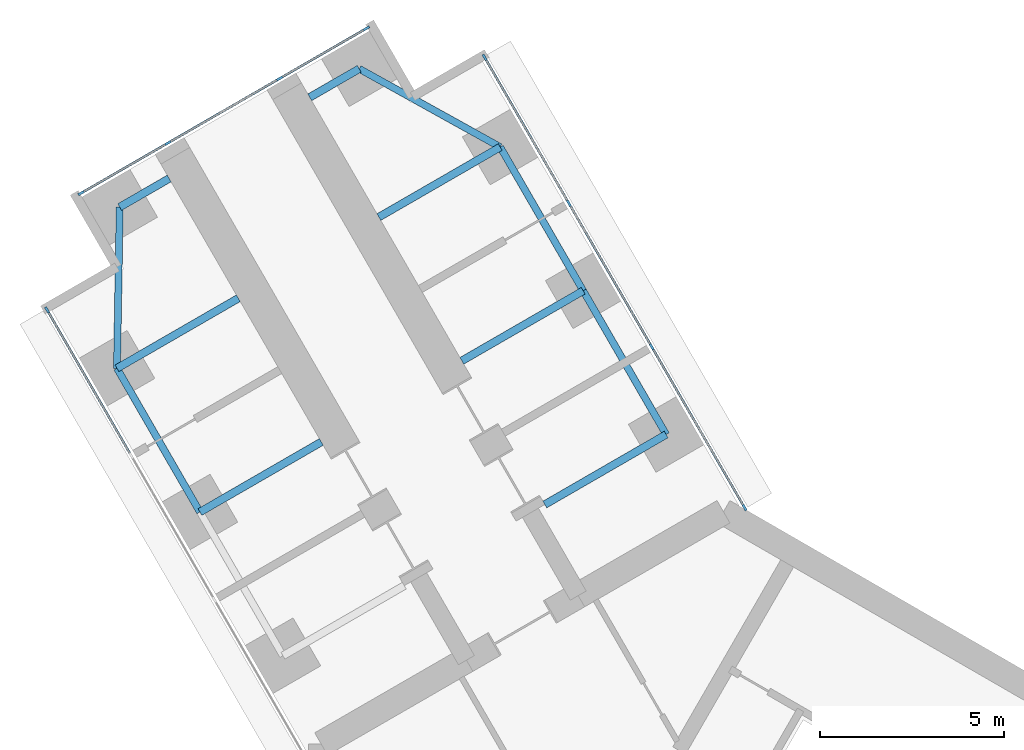
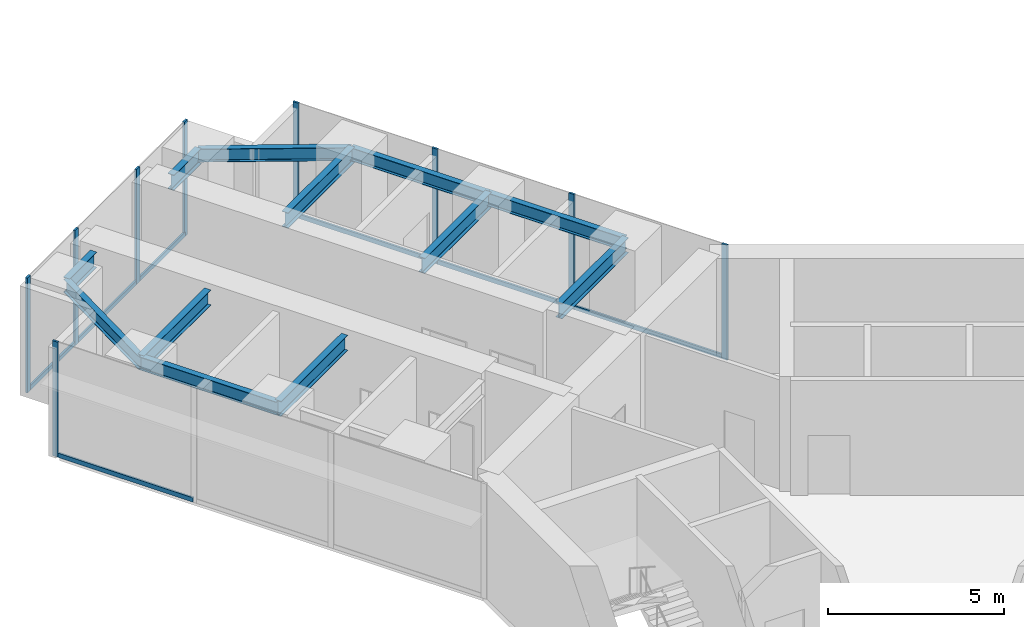
# One storey, part 7 of 22: 16 members, 12 beams, 3 elements without a shape of their own.
"""IFC4 building model written with IfcOpenShell, lengths in metres."""

from ifc_helpers import new_model, si_unit, direction, frame, origin, origin_2d, place, context, subcontext, project, spatial, rectangle, i_section, extrude, material, material_profile, profile_set, type_object, element, aggregate, save


model = new_model("IFC4")

# Units and contexts
model_context = context("Model", 3, precision=1e-05, world=origin(), true_north=direction((0.0, 1.0)))
body_context = subcontext(model_context, "Body", "Model", "MODEL_VIEW")
ifc_project = project(units=[si_unit("LENGTHUNIT", "METRE"), si_unit("AREAUNIT", "SQUARE_METRE"), si_unit("VOLUMEUNIT", "CUBIC_METRE"), si_unit("PLANEANGLEUNIT", "RADIAN"), si_unit("MASSUNIT", "GRAM", prefix="KILO")], contexts=[model_context])

# Site, building, storey
site_placement = place(None, origin())
site = spatial("IfcSite", under=ifc_project, at=site_placement, CompositionType="ELEMENT")
building_placement = place(site_placement, origin())
building = spatial("IfcBuilding", under=site, at=building_placement, Name="Upepo Twin Towers", CompositionType="ELEMENT")
storey_placement = place(building_placement, frame((0.0, 0.0, 36.5)))
storey = spatial("IfcBuildingStorey", under=building, at=storey_placement, Name="L08", CompositionType="ELEMENT", Elevation=36.5)

# Beams
ifc_material_1 = material(Name="Steel S355", Category="steel")
ifc_material_profile_1 = material_profile(ifc_material_1, i_section(OverallWidth=0.1904296875, OverallDepth=0.45703125, WebThickness=0.009033203125, FlangeThickness=0.014404296875, FilletRadius=0.01025390625, at=origin_2d()), Name="UB 457x191x74")
ifc_profile_set_1 = profile_set([ifc_material_profile_1], Name="Steel S355")
beam_type_1 = type_object("IfcBeamType", Name="Beam UB 457x191x74", PredefinedType="BEAM", material=ifc_profile_set_1)
beam_1_placement = place(storey_placement, frame((-14.196044921875, 12.58837890625, 3.571533203125), z_axis=(-0.499990139034, 0.866031096941, 0.0), x_axis=(-0.866031096941, -0.499990139034, 0.0)))
element("IfcBeam", 1, at=beam_1_placement, inside=storey, type_object=beam_type_1, Name="T1 edge beam BL 18.0-22.5", PredefinedType="BEAM", context=body_context, shape_type="SweptSolid", body=[
    extrude(i_section(OverallWidth=0.1904296875, OverallDepth=0.45703125, WebThickness=0.009033203125, FlangeThickness=0.014404296875, FilletRadius=0.01025390625, at=origin_2d()), origin(), (0.0, 0.0, 1.0), 4.5),
])
beam_2_placement = place(storey_placement, frame((-16.446044921875, 16.485595703125, 3.571533203125), z_axis=(0.016803880528, 0.999858804832, 0.0), x_axis=(-0.999858804832, 0.016803880528, 0.0)))
element("IfcBeam", 2, at=beam_2_placement, inside=storey, type_object=beam_type_1, Name="T1 nose edge beam BL", PredefinedType="BEAM", context=body_context, shape_type="SweptSolid", body=[
    extrude(i_section(OverallWidth=0.1904296875, OverallDepth=0.45703125, WebThickness=0.009033203125, FlangeThickness=0.014404296875, FilletRadius=0.01025390625, at=origin_2d()), origin(), (0.0, 0.0, 1.0), 4.373291015625),
])
beam_3_placement = place(storey_placement, frame((-1.553955078125, 14.69140625, 3.571533203125), z_axis=(-0.500013631625, 0.866017533419, 0.0), x_axis=(-0.866017533419, -0.500013631625, 0.0)))
element("IfcBeam", 3, at=beam_3_placement, inside=storey, type_object=beam_type_1, Name="T1 edge beam BR 13.5-18.0", PredefinedType="BEAM", context=body_context, shape_type="SweptSolid", body=[
    extrude(i_section(OverallWidth=0.1904296875, OverallDepth=0.45703125, WebThickness=0.009033203125, FlangeThickness=0.014404296875, FilletRadius=0.01025390625, at=origin_2d()), origin(), (0.0, 0.0, 1.0), 4.499755859375),
])
beam_4_placement = place(storey_placement, frame((-3.803955078125, 18.58837890625, 3.571533203125), z_axis=(-0.499990139034, 0.866031096941, 0.0), x_axis=(-0.866031096941, -0.499990139034, 0.0)))
element("IfcBeam", 4, at=beam_4_placement, inside=storey, type_object=beam_type_1, Name="T1 edge beam BR 18.0-22.5", PredefinedType="BEAM", context=body_context, shape_type="SweptSolid", body=[
    extrude(i_section(OverallWidth=0.1904296875, OverallDepth=0.45703125, WebThickness=0.009033203125, FlangeThickness=0.014404296875, FilletRadius=0.01025390625, at=origin_2d()), origin(), (0.0, 0.0, 1.0), 4.5),
])
beam_5_placement = place(storey_placement, frame((-6.053955078125, 22.485595703125, 3.571533203125), z_axis=(-0.874312600038, 0.485363242752, 0.0), x_axis=(-0.485363242752, -0.874312600038, 0.0)))
element("IfcBeam", 5, at=beam_5_placement, inside=storey, type_object=beam_type_1, Name="T1 nose edge beam BR", PredefinedType="BEAM", context=body_context, shape_type="SweptSolid", body=[
    extrude(i_section(OverallWidth=0.1904296875, OverallDepth=0.45703125, WebThickness=0.009033203125, FlangeThickness=0.014404296875, FilletRadius=0.01025390625, at=origin_2d()), origin(), (0.0, 0.0, 1.0), 4.373046875),
])
ifc_material_2 = material(Name="Steel S355", Category="steel")
ifc_material_profile_2 = material_profile(ifc_material_2, i_section(OverallWidth=0.2099609375, OverallDepth=0.53662109375, WebThickness=0.0107421875, FlangeThickness=0.017333984375, FilletRadius=0.0126953125, at=origin_2d()), Name="UB 533x210x101")
ifc_profile_set_2 = profile_set([ifc_material_profile_2], Name="Steel S355")
beam_type_2 = type_object("IfcBeamType", Name="Beam UB 533x210x101", PredefinedType="BEAM", material=ifc_profile_set_2)
for number, where, z_axis, x_axis, name in (
    (6, (-16.37255859375, 20.858154296875, 3.53173828125), (0.866043940782, 0.499967891604, 0.0), (-0.499967891604, 0.866043940782, 0.0), "T1 nose beam BL"),
    (7, (-9.87744140625, 24.608154296875, 3.53173828125), (-0.866043940782, -0.499967891604, 0.0), (0.499967891604, -0.866043940782, 0.0), "T1 nose beam BR"),
):
    element("IfcBeam", number, at=place(storey_placement, frame(where, z_axis=z_axis, x_axis=x_axis)), inside=storey, type_object=beam_type_2, Name=name, PredefinedType="BEAM", context=body_context, shape_type="SweptSolid", body=[
        extrude(i_section(OverallWidth=0.2099609375, OverallDepth=0.53662109375, WebThickness=0.0107421875, FlangeThickness=0.017333984375, FilletRadius=0.0126953125, at=origin_2d()), origin(), (0.0, 0.0, 1.0), 1.5498046875),
    ])
ifc_material_3 = material(Name="Steel S355", Category="steel")
ifc_material_profile_3 = material_profile(ifc_material_3, i_section(OverallWidth=0.209228515625, OverallDepth=0.533203125, WebThickness=0.010009765625, FlangeThickness=0.015625, FilletRadius=0.0126953125, at=origin_2d()), Name="UB 533x210x92")
ifc_profile_set_3 = profile_set([ifc_material_profile_3], Name="Steel S355")
beam_type_3 = type_object("IfcBeamType", Name="Beam UB 533x210x92", PredefinedType="BEAM", material=ifc_profile_set_3)
beam_6_placement = place(storey_placement, frame((-14.196044921875, 12.58837890625, 3.533447265625), z_axis=(0.866000483506, 0.500043160704, 0.0), x_axis=(-0.500043160704, 0.866000483506, 0.0)))
element("IfcBeam", 8, at=beam_6_placement, inside=storey, type_object=beam_type_3, Name="T1 girder BL at 18.0", PredefinedType="BEAM", context=body_context, shape_type="SweptSolid", body=[
    extrude(i_section(OverallWidth=0.209228515625, OverallDepth=0.533203125, WebThickness=0.010009765625, FlangeThickness=0.015625, FilletRadius=0.0126953125, at=origin_2d()), origin(), (0.0, 0.0, 1.0), 3.800048828125),
])
beam_7_placement = place(storey_placement, frame((-16.446044921875, 16.485595703125, 3.533447265625), z_axis=(0.866028304915, 0.499994975061, 0.0), x_axis=(-0.499994975061, 0.866028304915, 0.0)))
element("IfcBeam", 9, at=beam_7_placement, inside=storey, type_object=beam_type_3, Name="T1 girder BL at 22.5", PredefinedType="BEAM", context=body_context, shape_type="SweptSolid", body=[
    extrude(i_section(OverallWidth=0.209228515625, OverallDepth=0.533203125, WebThickness=0.010009765625, FlangeThickness=0.015625, FilletRadius=0.0126953125, at=origin_2d()), origin(), (0.0, 0.0, 1.0), 3.7998046875),
])
beam_8_placement = place(storey_placement, frame((-1.553955078125, 14.69140625, 3.533447265625), z_axis=(-0.866000483506, -0.500043160704, 0.0), x_axis=(0.500043160704, -0.866000483506, 0.0)))
element("IfcBeam", 10, at=beam_8_placement, inside=storey, type_object=beam_type_3, Name="T1 girder BR at 13.5", PredefinedType="BEAM", context=body_context, shape_type="SweptSolid", body=[
    extrude(i_section(OverallWidth=0.209228515625, OverallDepth=0.533203125, WebThickness=0.010009765625, FlangeThickness=0.015625, FilletRadius=0.0126953125, at=origin_2d()), origin(), (0.0, 0.0, 1.0), 3.800048828125),
])
for number, where, z_axis, x_axis, name in (
    (11, (-3.803955078125, 18.58837890625, 3.533447265625), (-0.866028304915, -0.499994975061, 0.0), (0.499994975061, -0.866028304915, 0.0), "T1 girder BR at 18.0"),
    (12, (-6.053955078125, 22.485595703125, 3.533447265625), (-0.866028304915, -0.499994975061, 0.0), (0.499994975061, -0.866028304915, 0.0), "T1 girder BR at 22.5"),
):
    element("IfcBeam", number, at=place(storey_placement, frame(where, z_axis=z_axis, x_axis=x_axis)), inside=storey, type_object=beam_type_3, Name=name, PredefinedType="BEAM", context=body_context, shape_type="SweptSolid", body=[
        extrude(i_section(OverallWidth=0.209228515625, OverallDepth=0.533203125, WebThickness=0.010009765625, FlangeThickness=0.015625, FilletRadius=0.0126953125, at=origin_2d()), origin(), (0.0, 0.0, 1.0), 3.7998046875),
    ])

# Curtain wall, member
ifc_material_4 = material(Name="Aluminium and fritted glass", Category="aluminium")
curtain_wall_type = type_object("IfcCurtainWallType", Name="Tower curtain wall TW1, fritted glass", PredefinedType="NOTDEFINED", material=ifc_material_4)
curtain_wall_1_placement = place(storey_placement, origin())
curtain_wall_1 = element("IfcCurtainWall", 13, at=curtain_wall_1_placement, inside=storey, type_object=curtain_wall_type, Name="T1 L08 wing B flank L curtain wall", PredefinedType="NOTDEFINED")
ifc_material_5 = material(Name="Aluminium mullion", Category="aluminium")
ifc_material_profile_4 = material_profile(ifc_material_5, rectangle(XDim=0.06494140625, YDim=0.179931640625, at=origin_2d()), Name="MULLION 65x180")
ifc_profile_set_4 = profile_set([ifc_material_profile_4], Name="Aluminium mullion")
member_type_1 = type_object("IfcMemberType", Name="Mullion 65x180 TW1", PredefinedType="MULLION", material=ifc_profile_set_4)
member_1_placement = place(storey_placement, frame((-18.341064453125, 18.067626953125, 0.0), z_axis=(0.0, 0.0, 1.0), x_axis=(-0.866025389682, -0.500000024426, 0.0)))
member_1 = element("IfcMember", 14, at=member_1_placement, type_object=member_type_1, Name="T1 L08 wing B flank L curtain wall mullion 4", PredefinedType="MULLION", context=body_context, shape_type="SweptSolid", body=[
    extrude(rectangle(XDim=0.06494140625, YDim=0.179931640625, at=origin_2d()), origin(), (0.0, 0.0, 1.0), 4.0),
])

# Curtain wall, members
curtain_wall_2_placement = place(storey_placement, origin())
curtain_wall_2 = element("IfcCurtainWall", 15, at=curtain_wall_2_placement, inside=storey, type_object=curtain_wall_type, Name="T1 L08 wing B flank R curtain wall", PredefinedType="NOTDEFINED")
member_2_placement = place(storey_placement, frame((-6.4765625, 24.91748046875, 0.0), z_axis=(0.0, 0.0, 1.0), x_axis=(0.866025389682, 0.500000024426, 0.0)))
member_2 = element("IfcMember", 16, at=member_2_placement, type_object=member_type_1, Name="T1 L08 wing B flank R curtain wall mullion 1", PredefinedType="MULLION", context=body_context, shape_type="SweptSolid", body=[
    extrude(rectangle(XDim=0.06494140625, YDim=0.179931640625, at=origin_2d()), origin(), (0.0, 0.0, 1.0), 4.0),
])
member_3_placement = place(storey_placement, frame((-4.192626953125, 20.9619140625, 0.0), z_axis=(0.0, 0.0, 1.0), x_axis=(0.866025389682, 0.500000024426, 0.0)))
member_3 = element("IfcMember", 17, at=member_3_placement, type_object=member_type_1, Name="T1 L08 wing B flank R curtain wall mullion 2", PredefinedType="MULLION", context=body_context, shape_type="SweptSolid", body=[
    extrude(rectangle(XDim=0.06494140625, YDim=0.179931640625, at=origin_2d()), origin(), (0.0, 0.0, 1.0), 4.0),
])
member_4_placement = place(storey_placement, frame((-1.942626953125, 17.06494140625, 0.0), z_axis=(0.0, 0.0, 1.0), x_axis=(0.866025389682, 0.500000024426, 0.0)))
member_4 = element("IfcMember", 18, at=member_4_placement, type_object=member_type_1, Name="T1 L08 wing B flank R curtain wall mullion 3", PredefinedType="MULLION", context=body_context, shape_type="SweptSolid", body=[
    extrude(rectangle(XDim=0.06494140625, YDim=0.179931640625, at=origin_2d()), origin(), (0.0, 0.0, 1.0), 4.0),
])
member_5_placement = place(storey_placement, frame((0.572509765625, 12.70849609375, 0.0), z_axis=(0.0, 0.0, 1.0), x_axis=(0.866025389682, 0.500000024426, 0.0)))
member_5 = element("IfcMember", 19, at=member_5_placement, type_object=member_type_1, Name="T1 L08 wing B flank R curtain wall mullion 4", PredefinedType="MULLION", context=body_context, shape_type="SweptSolid", body=[
    extrude(rectangle(XDim=0.06494140625, YDim=0.179931640625, at=origin_2d()), origin(), (0.0, 0.0, 1.0), 4.0),
])

curtain_wall_3_placement = place(storey_placement, origin())
curtain_wall_3 = element("IfcCurtainWall", 20, at=curtain_wall_3_placement, inside=storey, type_object=curtain_wall_type, Name="T1 L08 wing B nose curtain wall", PredefinedType="NOTDEFINED")
member_6_placement = place(storey_placement, frame((-9.68115234375, 25.703125, 0.0), z_axis=(0.0, 0.0, 1.0), x_axis=(0.500000030502, -0.866025386174, 0.0)))
member_6 = element("IfcMember", 21, at=member_6_placement, type_object=member_type_1, Name="T1 L08 wing B nose curtain wall mullion 1", PredefinedType="MULLION", context=body_context, shape_type="SweptSolid", body=[
    extrude(rectangle(XDim=0.06494140625, YDim=0.179931640625, at=origin_2d()), origin(), (0.0, 0.0, 1.0), 4.0),
])
member_7_placement = place(storey_placement, frame((-12.034423828125, 24.34423828125, 0.0), z_axis=(0.0, 0.0, 1.0), x_axis=(0.500000030502, -0.866025386174, 0.0)))
member_7 = element("IfcMember", 22, at=member_7_placement, type_object=member_type_1, Name="T1 L08 wing B nose curtain wall mullion 2", PredefinedType="MULLION", context=body_context, shape_type="SweptSolid", body=[
    extrude(rectangle(XDim=0.06494140625, YDim=0.179931640625, at=origin_2d()), origin(), (0.0, 0.0, 1.0), 4.0),
])
member_8_placement = place(storey_placement, frame((-15.0654296875, 22.59423828125, 0.0), z_axis=(0.0, 0.0, 1.0), x_axis=(0.500000030502, -0.866025386174, 0.0)))
member_8 = element("IfcMember", 23, at=member_8_placement, type_object=member_type_1, Name="T1 L08 wing B nose curtain wall mullion 3", PredefinedType="MULLION", context=body_context, shape_type="SweptSolid", body=[
    extrude(rectangle(XDim=0.06494140625, YDim=0.179931640625, at=origin_2d()), origin(), (0.0, 0.0, 1.0), 4.0),
])
member_9_placement = place(storey_placement, frame((-17.4189453125, 21.235595703125, 0.0), z_axis=(0.0, 0.0, 1.0), x_axis=(0.500000030502, -0.866025386174, 0.0)))
member_9 = element("IfcMember", 24, at=member_9_placement, type_object=member_type_1, Name="T1 L08 wing B nose curtain wall mullion 4", PredefinedType="MULLION", context=body_context, shape_type="SweptSolid", body=[
    extrude(rectangle(XDim=0.06494140625, YDim=0.179931640625, at=origin_2d()), origin(), (0.0, 0.0, 1.0), 4.0),
])

# Member
ifc_material_6 = material(Name="Aluminium transom", Category="aluminium")
ifc_material_profile_5 = material_profile(ifc_material_6, rectangle(XDim=0.06494140625, YDim=0.14990234375, at=origin_2d()), Name="TRANSOM 65x150")
ifc_profile_set_5 = profile_set([ifc_material_profile_5], Name="Aluminium transom")
member_type_2 = type_object("IfcMemberType", Name="Transom 65x150 TW1", PredefinedType="USERDEFINED", material=ifc_profile_set_5)
member_10_placement = place(storey_placement, frame((-16.073486328125, 14.14013671875, 0.074951171875), z_axis=(-0.499982167615, 0.866035699072, 0.0), x_axis=(-0.866035699072, -0.499982167615, 0.0)))
member_10 = element("IfcMember", 25, at=member_10_placement, type_object=member_type_2, Name="T1 L08 wing B flank L curtain wall transom 3", ObjectType="TRANSOM", PredefinedType="USERDEFINED", context=body_context, shape_type="SweptSolid", body=[
    extrude(rectangle(XDim=0.06494140625, YDim=0.14990234375, at=origin_2d()), origin(), (0.0, 0.0, 1.0), 4.502685546875),
])

aggregate(curtain_wall_1, [member_1, member_10])

member_11_placement = place(storey_placement, frame((-6.460205078125, 24.889404296875, 0.074951171875), z_axis=(0.500005646842, -0.866022143554, 0.0), x_axis=(0.866022143554, 0.500005646842, 0.0)))
member_11 = element("IfcMember", 26, at=member_11_placement, type_object=member_type_2, Name="T1 L08 wing B flank R curtain wall transom 1", ObjectType="TRANSOM", PredefinedType="USERDEFINED", context=body_context, shape_type="SweptSolid", body=[
    extrude(rectangle(XDim=0.06494140625, YDim=0.14990234375, at=origin_2d()), origin(), (0.0, 0.0, 1.0), 4.50244140625),
])

member_12_placement = place(storey_placement, frame((-4.176513671875, 20.933837890625, 0.074951171875), z_axis=(0.500005184116, -0.866022410713, 0.0), x_axis=(0.866022410713, 0.500005184116, 0.0)))
member_12 = element("IfcMember", 27, at=member_12_placement, type_object=member_type_2, Name="T1 L08 wing B flank R curtain wall transom 2", ObjectType="TRANSOM", PredefinedType="USERDEFINED", context=body_context, shape_type="SweptSolid", body=[
    extrude(rectangle(XDim=0.06494140625, YDim=0.14990234375, at=origin_2d()), origin(), (0.0, 0.0, 1.0), 4.43505859375),
])

member_13_placement = place(storey_placement, frame((-1.926513671875, 17.036865234375, 0.074951171875), z_axis=(0.499983492876, -0.866034933967, 0.0), x_axis=(0.866034933967, 0.499983492876, 0.0)))
member_13 = element("IfcMember", 28, at=member_13_placement, type_object=member_type_2, Name="T1 L08 wing B flank R curtain wall transom 3", ObjectType="TRANSOM", PredefinedType="USERDEFINED", context=body_context, shape_type="SweptSolid", body=[
    extrude(rectangle(XDim=0.06494140625, YDim=0.14990234375, at=origin_2d()), origin(), (0.0, 0.0, 1.0), 4.965576171875),
])

aggregate(curtain_wall_2, [member_2, member_3, member_4, member_5, member_11, member_12, member_13])

member_14_placement = place(storey_placement, frame((-9.709228515625, 25.686767578125, 0.074951171875), z_axis=(-0.866036909293, -0.499980071345, 0.0), x_axis=(0.499980071345, -0.866036909293, 0.0)))
member_14 = element("IfcMember", 29, at=member_14_placement, type_object=member_type_2, Name="T1 L08 wing B nose curtain wall transom 1", ObjectType="TRANSOM", PredefinedType="USERDEFINED", context=body_context, shape_type="SweptSolid", body=[
    extrude(rectangle(XDim=0.06494140625, YDim=0.14990234375, at=origin_2d()), origin(), (0.0, 0.0, 1.0), 2.65234375),
])

member_15_placement = place(storey_placement, frame((-12.0625, 24.328125, 0.074951171875), z_axis=(-0.866025804792, -0.499999305434, 0.0), x_axis=(0.499999305434, -0.866025804792, 0.0)))
member_15 = element("IfcMember", 30, at=member_15_placement, type_object=member_type_2, Name="T1 L08 wing B nose curtain wall transom 2", ObjectType="TRANSOM", PredefinedType="USERDEFINED", context=body_context, shape_type="SweptSolid", body=[
    extrude(rectangle(XDim=0.06494140625, YDim=0.14990234375, at=origin_2d()), origin(), (0.0, 0.0, 1.0), 3.43505859375),
])

member_16_placement = place(storey_placement, frame((-15.09375, 22.578125, 0.074951171875), z_axis=(-0.865997053448, -0.500049101008, 0.0), x_axis=(0.500049101008, -0.865997053448, 0.0)))
member_16 = element("IfcMember", 31, at=member_16_placement, type_object=member_type_2, Name="T1 L08 wing B nose curtain wall transom 3", ObjectType="TRANSOM", PredefinedType="USERDEFINED", context=body_context, shape_type="SweptSolid", body=[
    extrude(rectangle(XDim=0.06494140625, YDim=0.14990234375, at=origin_2d()), origin(), (0.0, 0.0, 1.0), 2.652587890625),
])

aggregate(curtain_wall_3, [member_6, member_7, member_8, member_9, member_14, member_15, member_16])

save(model, "model.ifc")
